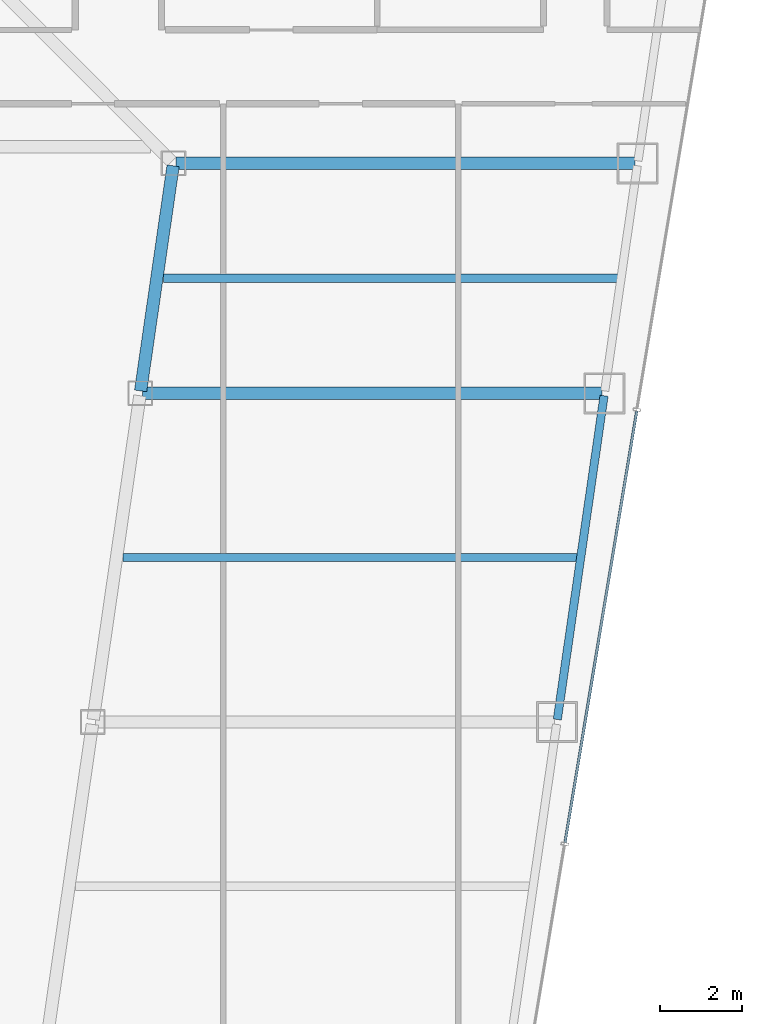
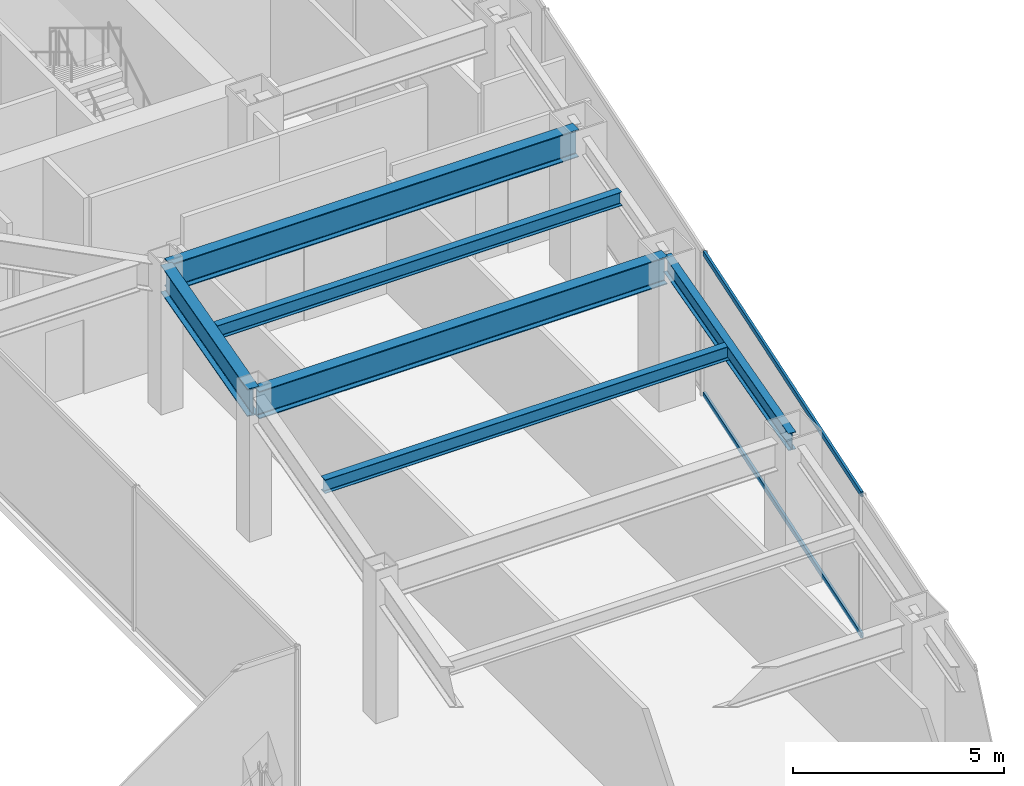
# One storey, part 18 of 37: 6 beams, 2 members, 1 element without a shape of its own.
"""IFC4 building model written with IfcOpenShell, lengths in metres."""

from ifc_helpers import new_model, si_unit, direction, frame, origin, origin_2d, place, context, subcontext, project, spatial, hollow_rectangle, i_section, extrude, material, material_profile, profile_set, type_object, element, aggregate, save


model = new_model("IFC4")

# Units and contexts
model_context = context("Model", 3, precision=1e-05, world=origin(), true_north=direction((0.0, 1.0)))
body_context = subcontext(model_context, "Body", "Model", "MODEL_VIEW")
ifc_project = project(units=[si_unit("LENGTHUNIT", "METRE"), si_unit("AREAUNIT", "SQUARE_METRE"), si_unit("VOLUMEUNIT", "CUBIC_METRE"), si_unit("PLANEANGLEUNIT", "RADIAN"), si_unit("MASSUNIT", "GRAM", prefix="KILO")], contexts=[model_context])

# Site, building, storey
site_placement = place(None, origin())
site = spatial("IfcSite", under=ifc_project, at=site_placement, CompositionType="ELEMENT")
building_placement = place(site_placement, origin())
building = spatial("IfcBuilding", under=site, at=building_placement, Name="Saevonmaru Cultural Tower", CompositionType="ELEMENT")
storey_placement = place(building_placement, frame((0.0, 0.0, 114.800048828125)))
storey = spatial("IfcBuildingStorey", under=building, at=storey_placement, Name="L24", CompositionType="ELEMENT", Elevation=114.800048828125)

# Beams
ifc_material_1 = material(Name="Steel SM420", Category="steel")
ifc_material_profile_1 = material_profile(ifc_material_1, i_section(OverallWidth=0.300048828125, OverallDepth=0.800048828125, WebThickness=0.013916015625, FlangeThickness=0.02587890625, FilletRadius=0.028076171875, at=origin_2d()), Name="H-800x300x14x26")
ifc_profile_set_1 = profile_set([ifc_material_profile_1], Name="Steel SM420")
beam_type_1 = type_object("IfcBeamType", Name="BM-G-H800", PredefinedType="BEAM", material=ifc_profile_set_1)
beam_1_placement = place(storey_placement, frame((40.3916015625, 32.059326171875, 3.75), z_axis=(0.142964121327, 0.989727871697, 0.0), x_axis=(-0.989727871697, 0.142964121327, 0.0)))
element("IfcBeam", 1, at=beam_1_placement, inside=storey, type_object=beam_type_1, Name="L24 East Atrium Girder 4", PredefinedType="BEAM", context=body_context, shape_type="SweptSolid", body=[
    extrude(i_section(OverallWidth=0.300048828125, OverallDepth=0.800048828125, WebThickness=0.013916015625, FlangeThickness=0.02587890625, FilletRadius=0.028076171875, at=origin_2d()), origin(), (0.0, 0.0, 1.0), 5.5380859375),
])
for number, where, z_axis, x_axis, name in (
    (2, (40.443115234375, 32.0, 3.75), (1.0, 0.0, 0.0), (0.0, 1.0, 0.0), "L24 East Wing Transverse Girder 4"),
    (3, (41.251953125, 37.60009765625, 3.75), (1.0, 0.0, 0.0), (0.0, 1.0, 0.0), "L24 East Wing Transverse Girder 5"),
):
    element("IfcBeam", number, at=place(storey_placement, frame(where, z_axis=z_axis, x_axis=x_axis)), inside=storey, type_object=beam_type_1, Name=name, PredefinedType="BEAM", context=body_context, shape_type="SweptSolid", body=[
        extrude(i_section(OverallWidth=0.300048828125, OverallDepth=0.800048828125, WebThickness=0.013916015625, FlangeThickness=0.02587890625, FilletRadius=0.028076171875, at=origin_2d()), origin(), (0.0, 0.0, 1.0), 11.179931640625),
    ])
ifc_material_2 = material(Name="Steel SM355", Category="steel")
ifc_material_profile_2 = material_profile(ifc_material_2, i_section(OverallWidth=0.199951171875, OverallDepth=0.39990234375, WebThickness=0.008056640625, FlangeThickness=0.012939453125, FilletRadius=0.01611328125, at=origin_2d()), Name="H-400x200x8x13")
ifc_profile_set_2 = profile_set([ifc_material_profile_2], Name="Steel SM355")
beam_type_2 = type_object("IfcBeamType", Name="BM-J-H400", PredefinedType="JOIST", material=ifc_profile_set_2)
for number, where, z_axis, x_axis, name in (
    (4, (39.96337890625, 28.0, 3.949951171875), (1.0, 0.0, 0.0), (0.0, 1.0, 0.0), "L24 East Wing Floor Joist 3"),
    (5, (40.945556640625, 34.800048828125, 3.949951171875), (1.0, 0.0, 0.0), (0.0, 1.0, 0.0), "L24 East Wing Floor Joist 4"),
):
    element("IfcBeam", number, at=place(storey_placement, frame(where, z_axis=z_axis, x_axis=x_axis)), inside=storey, type_object=beam_type_2, Name=name, PredefinedType="JOIST", context=body_context, shape_type="SweptSolid", body=[
        extrude(i_section(OverallWidth=0.199951171875, OverallDepth=0.39990234375, WebThickness=0.008056640625, FlangeThickness=0.012939453125, FilletRadius=0.01611328125, at=origin_2d()), origin(), (0.0, 0.0, 1.0), 11.08203125),
    ])
ifc_material_profile_3 = material_profile(ifc_material_2, i_section(OverallWidth=0.199951171875, OverallDepth=0.5, WebThickness=0.010009765625, FlangeThickness=0.01611328125, FilletRadius=0.02001953125, at=origin_2d()), Name="H-500x200x10x16")
ifc_profile_set_3 = profile_set([ifc_material_profile_3], Name="Steel SM355")
beam_type_3 = type_object("IfcBeamType", Name="BM-SP-H500", PredefinedType="SPANDREL", material=ifc_profile_set_3)
beam_2_placement = place(storey_placement, frame((50.53662109375, 24.059326171875, 3.89990234375), z_axis=(0.142871999001, 0.989741174197, 0.0), x_axis=(-0.989741174197, 0.142871999001, 0.0)))
element("IfcBeam", 6, at=beam_2_placement, inside=storey, type_object=beam_type_3, Name="L24 East Splayed Spandrel 3", PredefinedType="SPANDREL", context=body_context, shape_type="SweptSolid", body=[
    extrude(i_section(OverallWidth=0.199951171875, OverallDepth=0.5, WebThickness=0.010009765625, FlangeThickness=0.01611328125, FilletRadius=0.02001953125, at=origin_2d()), origin(), (0.0, 0.0, 1.0), 7.963134765625),
])

# Curtain wall, members
ifc_material_3 = material(Name="Satin Bronze Anodised Aluminium", Category="aluminium")
curtain_wall_type = type_object("IfcCurtainWallType", Name="CW-TYP-A", PredefinedType="NOTDEFINED", material=ifc_material_3)
curtain_wall_placement = place(storey_placement, origin())
curtain_wall = element("IfcCurtainWall", 7, at=curtain_wall_placement, inside=storey, type_object=curtain_wall_type, Name="L24 Unitised Curtain Wall E8", PredefinedType="NOTDEFINED")
ifc_material_profile_4 = material_profile(ifc_material_3, hollow_rectangle(XDim=0.06494140625, YDim=0.14990234375, WallThickness=0.00390625, at=origin_2d()), Name="ALU-TRAN-150x65x4")
ifc_profile_set_4 = profile_set([ifc_material_profile_4], Name="Satin Bronze Anodised Aluminium")
member_type = type_object("IfcMemberType", Name="TR-CW-150x65", PredefinedType="USERDEFINED", material=ifc_profile_set_4)
member_1_placement = place(storey_placement, frame((50.7236328125, 21.061767578125, 0.032470703125), z_axis=(0.163993787386, 0.98646137162, 0.0), x_axis=(-0.98646137162, 0.163993787386, 0.0)))
member_1 = element("IfcMember", 8, at=member_1_placement, type_object=member_type, Name="CW-TW-L24-E8 transom 2.1", ObjectType="TRANSOM", PredefinedType="USERDEFINED", context=body_context, shape_type="SweptSolid", body=[
    extrude(hollow_rectangle(XDim=0.06494140625, YDim=0.14990234375, WallThickness=0.00390625, at=origin_2d()), origin(), (0.0, 0.0, 1.0), 10.650390625),
])
member_2_placement = place(storey_placement, frame((50.7236328125, 21.061767578125, 4.117431640625), z_axis=(0.163993787386, 0.98646137162, 0.0), x_axis=(-0.98646137162, 0.163993787386, 0.0)))
member_2 = element("IfcMember", 9, at=member_2_placement, type_object=member_type, Name="CW-TW-L24-E8 transom 2.2", ObjectType="TRANSOM", PredefinedType="USERDEFINED", context=body_context, shape_type="SweptSolid", body=[
    extrude(hollow_rectangle(XDim=0.06494140625, YDim=0.14990234375, WallThickness=0.00390625, at=origin_2d()), origin(), (0.0, 0.0, 1.0), 10.650390625),
])
aggregate(curtain_wall, [member_1, member_2])

save(model, "model.ifc")
